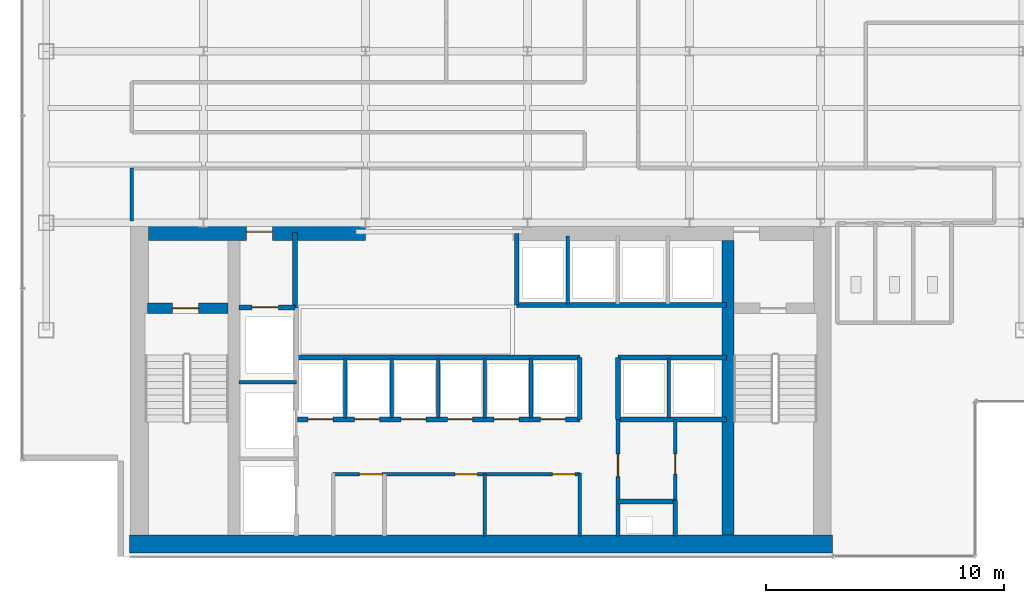
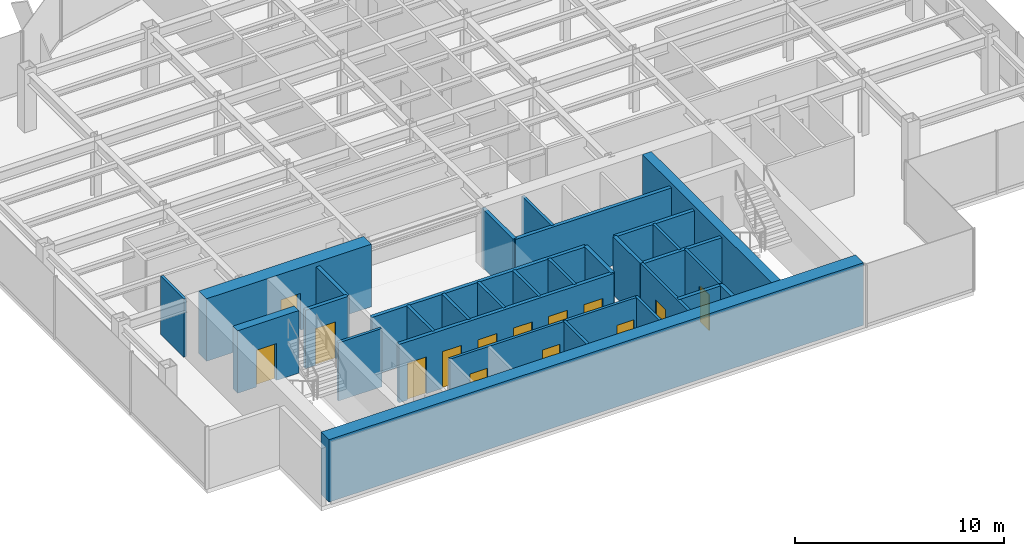
# One storey, part 20 of 25: 30 walls, 14 doors, 14 openings.
"""IFC4 building model written with IfcOpenShell, lengths in metres."""

from ifc_helpers import new_model, si_unit, derived_unit, direction, frame, frame_2d, origin, place, context, subcontext, project, spatial, rectangle, extrude, source, transform, mapped, material, layer, layer_set, type_object, element, fill, save


model = new_model("IFC4")

# Units and contexts
model_context = context("Model", 3, precision=1e-05, world=origin(), true_north=direction((0.0, 1.0)))
body_context = subcontext(model_context, "Body", "Model", "MODEL_VIEW")
ifc_project = project(units=[si_unit("LENGTHUNIT", "METRE"), si_unit("AREAUNIT", "SQUARE_METRE"), si_unit("VOLUMEUNIT", "CUBIC_METRE"), si_unit("PLANEANGLEUNIT", "RADIAN"), si_unit("MASSUNIT", "GRAM", prefix="KILO"), derived_unit("THERMALTRANSMITTANCEUNIT", [(si_unit("POWERUNIT", "WATT"), 1), (si_unit("LENGTHUNIT", "METRE"), -2), (si_unit("THERMODYNAMICTEMPERATUREUNIT", "KELVIN"), -1)])], contexts=[model_context])

# Site, building, storey
site_placement = place(None, origin())
site = spatial("IfcSite", under=ifc_project, at=site_placement, CompositionType="ELEMENT")
building_placement = place(site_placement, origin())
building = spatial("IfcBuilding", under=site, at=building_placement, Name="Skarnbrae Concourse Arena and Tower", CompositionType="ELEMENT")
storey_placement = place(building_placement, frame((0.0, 0.0, 162.5)))
storey = spatial("IfcBuildingStorey", under=building, at=storey_placement, Name="L41", CompositionType="ELEMENT", Elevation=162.5)

# Wall, opening, door
ifc_material_1 = material(Name="Concrete 50 MPa (C50/60)", Category="concrete")
ifc_layer_1 = layer(ifc_material_1, 0.449951171875)
ifc_layer_set_1 = layer_set([ifc_layer_1], Name="Concrete 50 MPa (C50/60)")
wall_type_1 = type_object("IfcWallType", Name="WALL-CORE-450-C50", PredefinedType="SHEAR", material=ifc_layer_set_1)
shared_shape_1 = source(origin(), body_context, "Body", "SweptSolid", [
    extrude(rectangle(XDim=3.389892578125, YDim=0.449951171875, at=frame_2d((1.69482421875, 0.0))), origin(), (0.0, 0.0, 1.0), 3.64990234375),
])
wall_1_placement = place(storey_placement, frame((5.25, 10.419921875, 0.0), z_axis=(0.0, 0.0, 1.0), x_axis=(1.0, 0.0, 0.0)))
wall_1 = element("IfcWall", 1, at=wall_1_placement, inside=storey, type_object=wall_type_1, Name="L41 Rear core shear wall CW-ST1-N", PredefinedType="SHEAR", context=body_context, shape_type="MappedRepresentation", body=[
    mapped(shared_shape_1, transform((0.0, 0.0, 0.0))),
])
opening_1_placement = place(wall_1_placement, frame((1.050048828125, 0.0, 0.0)))
opening_1 = element("IfcOpeningElement", 2, at=opening_1_placement, cuts=wall_1, Name="Opening DT-03", PredefinedType="OPENING", context=body_context, shape_type="SweptSolid", body=[
    extrude(rectangle(XDim=1.10009765625, YDim=2.14990234375, at=frame_2d((0.550048828125, 1.074951171875))), frame((0.0, 0.23486328125, 0.0), z_axis=(0.0, -1.0, 0.0), x_axis=(1.0, 0.0, 0.0)), (0.0, 0.0, 1.0), 0.469970703125),
])
ifc_material_2 = material(Name="Steel CSA G40.21 350W", Category="steel")
door_type_1 = type_object("IfcDoorType", Name="DOOR-FIRE-1100-90M", OperationType="NOTDEFINED", PredefinedType="DOOR", material=ifc_material_2)
shared_shape_2 = source(origin(), body_context, "Body", "SweptSolid", [
    extrude(rectangle(XDim=1.10009765625, YDim=2.14990234375, at=frame_2d((0.550048828125, 1.074951171875))), frame((0.0, 0.02490234375, 0.0), z_axis=(0.0, -1.0, 0.0), x_axis=(1.0, 0.0, 0.0)), (0.0, 0.0, 1.0), 0.050048828125),
])
door_1_placement = place(opening_1_placement, frame((1.10009765625, 0.0, 0.0), z_axis=(0.0, 0.0, 1.0), x_axis=(-1.0, 0.0, 0.0)))
door_1 = element("IfcDoor", 3, at=door_1_placement, inside=storey, type_object=door_type_1, Name="D-1267 Stair ST-1 Door", OperationType="SINGLE_SWING_LEFT", OverallHeight=2.14990234375, OverallWidth=1.10009765625, PredefinedType="DOOR", context=body_context, shape_type="MappedRepresentation", body=[
    mapped(shared_shape_2, transform((0.0, 0.0, 0.0))),
])
fill(opening_1, door_1)

# Wall
ifc_material_3 = material(Name="Concrete 60 MPa (C60/75)", Category="concrete")
ifc_layer_2 = layer(ifc_material_3, 0.75)
ifc_layer_set_2 = layer_set([ifc_layer_2], Name="Concrete 60 MPa (C60/75)")
wall_type_2 = type_object("IfcWallType", Name="WALL-CORE-750-C60", PredefinedType="SHEAR", material=ifc_layer_set_2)
shared_shape_3 = source(origin(), body_context, "Body", "SweptSolid", [
    extrude(rectangle(XDim=29.5, YDim=0.75, at=frame_2d((14.75, 0.0))), origin(), (0.0, 0.0, 1.0), 3.64990234375),
])
wall_2_placement = place(storey_placement, frame((4.5, 0.52490234375, 0.0), z_axis=(0.0, 0.0, 1.0), x_axis=(1.0, 0.0, 0.0)))
element("IfcWall", 4, at=wall_2_placement, inside=storey, type_object=wall_type_2, Name="L41 Rear core shear wall CW-S", PredefinedType="SHEAR", context=body_context, shape_type="MappedRepresentation", body=[
    mapped(shared_shape_3, transform((0.0, 0.0, 0.0))),
])

# Wall, opening, door
shared_shape_4 = source(origin(), body_context, "Body", "SweptSolid", [
    extrude(rectangle(XDim=9.099853515625, YDim=0.75, at=frame_2d((4.5498046875, 0.0))), origin(), (0.0, 0.0, 1.0), 3.64990234375),
])
wall_3_placement = place(storey_placement, frame((5.300048828125, 13.625, 0.0), z_axis=(0.0, 0.0, 1.0), x_axis=(1.0, 0.0, 0.0)))
wall_3 = element("IfcWall", 5, at=wall_3_placement, inside=storey, type_object=wall_type_2, Name="L41 Rear core shear wall CW-NW", PredefinedType="SHEAR", context=body_context, shape_type="MappedRepresentation", body=[
    mapped(shared_shape_4, transform((0.0, 0.0, 0.0))),
])
opening_2_placement = place(wall_3_placement, frame((4.10009765625, 0.0, 0.0)))
opening_2 = element("IfcOpeningElement", 6, at=opening_2_placement, cuts=wall_3, Name="Opening DT-03", PredefinedType="OPENING", context=body_context, shape_type="SweptSolid", body=[
    extrude(rectangle(XDim=1.10009765625, YDim=2.14990234375, at=frame_2d((0.550048828125, 1.074951171875))), frame((0.0, 0.385009765625, 0.0), z_axis=(0.0, -1.0, 0.0), x_axis=(1.0, 0.0, 0.0)), (0.0, 0.0, 1.0), 0.77001953125),
])
door_2_placement = place(opening_2_placement, origin())
door_2 = element("IfcDoor", 7, at=door_2_placement, inside=storey, type_object=door_type_1, Name="D-1269 Firefighting Lobby Exit Door", OperationType="SINGLE_SWING_RIGHT", OverallHeight=2.14990234375, OverallWidth=1.10009765625, PredefinedType="DOOR", context=body_context, shape_type="MappedRepresentation", body=[
    mapped(shared_shape_2, transform((0.0, 0.0, 0.0))),
])
fill(opening_2, door_2)

# Walls
ifc_layer_3 = layer(ifc_material_3, 0.5)
ifc_layer_set_3 = layer_set([ifc_layer_3], Name="Concrete 60 MPa (C60/75)")
wall_type_3 = type_object("IfcWallType", Name="WALL-CORE-500-C60", PredefinedType="SHEAR", material=ifc_layer_set_3)
shared_shape_5 = source(origin(), body_context, "Body", "SweptSolid", [
    extrude(rectangle(XDim=12.35009765625, YDim=0.5, at=frame_2d((6.175048828125, 0.0))), origin(), (0.0, 0.0, 1.0), 3.64990234375),
])
wall_4_placement = place(storey_placement, frame((29.610107421875, 0.89990234375, 0.0), z_axis=(0.0, 0.0, 1.0), x_axis=(0.0, 1.0, 0.0)))
element("IfcWall", 8, at=wall_4_placement, inside=storey, type_object=wall_type_3, Name="L41 Rear core shear wall CW-WEB-E", PredefinedType="SHEAR", context=body_context, shape_type="MappedRepresentation", body=[
    mapped(shared_shape_5, transform((0.0, 0.0, 0.0))),
])
ifc_material_4 = material(Name="Gypsum board on cold-formed steel studs", Category="steel")
ifc_layer_4 = layer(ifc_material_4, 0.199951171875)
ifc_layer_set_4 = layer_set([ifc_layer_4], Name="Gypsum board on cold-formed steel studs")
wall_type_4 = type_object("IfcWallType", Name="WALL-PART-200-2HR", PredefinedType="PARTITIONING", material=ifc_layer_set_4)
shared_shape_6 = source(origin(), body_context, "Body", "SweptSolid", [
    extrude(rectangle(XDim=3.18017578125, YDim=0.199951171875, at=frame_2d((1.590087890625, 0.0))), origin(), (0.0, 0.0, 1.0), 3.39990234375),
])
wall_5_placement = place(storey_placement, frame((11.449951171875, 10.419921875, 0.0), z_axis=(0.0, 0.0, 1.0), x_axis=(0.0, 1.0, 0.0)))
element("IfcWall", 9, at=wall_5_placement, inside=storey, type_object=wall_type_4, Name="L41 Interior partition wall W-L41-FFL-E", PredefinedType="PARTITIONING", context=body_context, shape_type="MappedRepresentation", body=[
    mapped(shared_shape_6, transform((0.0, 0.0, 0.0))),
])

# Wall, opening, door
shared_shape_7 = source(origin(), body_context, "Body", "SweptSolid", [
    extrude(rectangle(XDim=2.349853515625, YDim=0.199951171875, at=frame_2d((1.1748046875, 0.0))), origin(), (0.0, 0.0, 1.0), 3.39990234375),
])
wall_6_placement = place(storey_placement, frame((9.10009765625, 10.449951171875, 0.0), z_axis=(0.0, 0.0, 1.0), x_axis=(1.0, 0.0, 0.0)))
wall_6 = element("IfcWall", 10, at=wall_6_placement, inside=storey, type_object=wall_type_4, Name="L41 Interior partition wall W-L41-FL1-N", PredefinedType="PARTITIONING", context=body_context, shape_type="MappedRepresentation", body=[
    mapped(shared_shape_7, transform((0.0, 0.0, 0.0))),
])
opening_3_placement = place(wall_6_placement, frame((0.550048828125, 0.0, 0.0)))
opening_3 = element("IfcOpeningElement", 11, at=opening_3_placement, cuts=wall_6, Name="Opening LD-01", PredefinedType="OPENING", context=body_context, shape_type="SweptSolid", body=[
    extrude(rectangle(XDim=1.10009765625, YDim=2.14990234375, at=frame_2d((0.550048828125, 1.074951171875))), frame((0.0, 0.10986328125, 0.0), z_axis=(0.0, -1.0, 0.0), x_axis=(1.0, 0.0, 0.0)), (0.0, 0.0, 1.0), 0.219970703125),
])
door_type_2 = type_object("IfcDoorType", Name="DOOR-LIFT-SLIDE-1100", OperationType="SLIDING_TO_LEFT", PredefinedType="DOOR", material=ifc_material_2)
door_3_placement = place(opening_3_placement, origin())
door_3 = element("IfcDoor", 12, at=door_3_placement, inside=storey, type_object=door_type_2, Name="D-1271 Firefighting Lift Landing Door FL-01", OperationType="SLIDING_TO_LEFT", OverallHeight=2.14990234375, OverallWidth=1.10009765625, PredefinedType="DOOR", context=body_context, shape_type="MappedRepresentation", body=[
    mapped(shared_shape_2, transform((0.0, 0.0, 0.0))),
])
fill(opening_3, door_3)

# Walls
ifc_layer_5 = layer(ifc_material_4, 0.14990234375)
ifc_layer_set_5 = layer_set([ifc_layer_5], Name="Gypsum board on cold-formed steel studs")
wall_type_5 = type_object("IfcWallType", Name="WALL-PART-150", PredefinedType="PARTITIONING", material=ifc_layer_set_5)
shared_shape_8 = source(origin(), body_context, "Body", "SweptSolid", [
    extrude(rectangle(XDim=2.39990234375, YDim=0.14990234375, at=frame_2d((1.199951171875, 0.0))), origin(), (0.0, 0.0, 1.0), 3.39990234375),
])
wall_7_placement = place(storey_placement, frame((9.10009765625, 7.300048828125, 0.0), z_axis=(0.0, 0.0, 1.0), x_axis=(1.0, 0.0, 0.0)))
element("IfcWall", 13, at=wall_7_placement, inside=storey, type_object=wall_type_5, Name="L41 Interior partition wall W-L41-FL-D2", PredefinedType="PARTITIONING", context=body_context, shape_type="MappedRepresentation", body=[
    mapped(shared_shape_8, transform((0.0, 0.0, 0.0))),
])
shared_shape_9 = source(origin(), body_context, "Body", "SweptSolid", [
    extrude(rectangle(XDim=2.599853515625, YDim=0.14990234375, at=frame_2d((1.2998046875, 0.0))), origin(), (0.0, 0.0, 1.0), 3.39990234375),
])
wall_8_placement = place(storey_placement, frame((19.39990234375, 0.85009765625, 0.0), z_axis=(0.0, 0.0, 1.0), x_axis=(0.0, 1.0, 0.0)))
element("IfcWall", 14, at=wall_8_placement, inside=storey, type_object=wall_type_5, Name="L41 Interior partition wall W-L41-B1M-C2", PredefinedType="PARTITIONING", context=body_context, shape_type="MappedRepresentation", body=[
    mapped(shared_shape_9, transform((0.0, 0.0, 0.0))),
])

# Wall, openings, doors
shared_shape_10 = source(origin(), body_context, "Body", "SweptSolid", [
    extrude(rectangle(XDim=11.849853515625, YDim=0.199951171875, at=frame_2d((5.9248046875, 0.0))), origin(), (0.0, 0.0, 1.0), 3.39990234375),
])
wall_9_placement = place(storey_placement, frame((11.550048828125, 5.75, 0.0), z_axis=(0.0, 0.0, 1.0), x_axis=(1.0, 0.0, 0.0)))
wall_9 = element("IfcWall", 15, at=wall_9_placement, inside=storey, type_object=wall_type_4, Name="L41 Interior partition wall W-L41-B2-S", PredefinedType="PARTITIONING", context=body_context, shape_type="MappedRepresentation", body=[
    mapped(shared_shape_10, transform((0.0, 0.0, 0.0))),
])
opening_4_placement = place(wall_9_placement, frame((0.449951171875, 0.0, 0.0)))
opening_4 = element("IfcOpeningElement", 16, at=opening_4_placement, cuts=wall_9, Name="Opening LD-03", PredefinedType="OPENING", context=body_context, shape_type="SweptSolid", body=[
    extrude(rectangle(XDim=1.050048828125, YDim=2.14990234375, at=frame_2d((0.52490234375, 1.074951171875))), frame((0.0, 0.10986328125, 0.0), z_axis=(0.0, -1.0, 0.0), x_axis=(1.0, 0.0, 0.0)), (0.0, 0.0, 1.0), 0.219970703125),
])
opening_5_placement = place(wall_9_placement, frame((2.39990234375, 0.0, 0.0)))
opening_5 = element("IfcOpeningElement", 17, at=opening_5_placement, cuts=wall_9, Name="Opening LD-03", PredefinedType="OPENING", context=body_context, shape_type="SweptSolid", body=[
    extrude(rectangle(XDim=1.050048828125, YDim=2.14990234375, at=frame_2d((0.52490234375, 1.074951171875))), frame((0.0, 0.10986328125, 0.0), z_axis=(0.0, -1.0, 0.0), x_axis=(1.0, 0.0, 0.0)), (0.0, 0.0, 1.0), 0.219970703125),
])
opening_6_placement = place(wall_9_placement, frame((4.35009765625, 0.0, 0.0)))
opening_6 = element("IfcOpeningElement", 18, at=opening_6_placement, cuts=wall_9, Name="Opening LD-03", PredefinedType="OPENING", context=body_context, shape_type="SweptSolid", body=[
    extrude(rectangle(XDim=1.050048828125, YDim=2.14990234375, at=frame_2d((0.52490234375, 1.074951171875))), frame((0.0, 0.10986328125, 0.0), z_axis=(0.0, -1.0, 0.0), x_axis=(1.0, 0.0, 0.0)), (0.0, 0.0, 1.0), 0.219970703125),
])
opening_7_placement = place(wall_9_placement, frame((6.300048828125, 0.0, 0.0)))
opening_7 = element("IfcOpeningElement", 19, at=opening_7_placement, cuts=wall_9, Name="Opening LD-03", PredefinedType="OPENING", context=body_context, shape_type="SweptSolid", body=[
    extrude(rectangle(XDim=1.050048828125, YDim=2.14990234375, at=frame_2d((0.52490234375, 1.074951171875))), frame((0.0, 0.10986328125, 0.0), z_axis=(0.0, -1.0, 0.0), x_axis=(1.0, 0.0, 0.0)), (0.0, 0.0, 1.0), 0.219970703125),
])
opening_8_placement = place(wall_9_placement, frame((8.25, 0.0, 0.0)))
opening_8 = element("IfcOpeningElement", 20, at=opening_8_placement, cuts=wall_9, Name="Opening LD-03", PredefinedType="OPENING", context=body_context, shape_type="SweptSolid", body=[
    extrude(rectangle(XDim=1.050048828125, YDim=2.14990234375, at=frame_2d((0.52490234375, 1.074951171875))), frame((0.0, 0.10986328125, 0.0), z_axis=(0.0, -1.0, 0.0), x_axis=(1.0, 0.0, 0.0)), (0.0, 0.0, 1.0), 0.219970703125),
])
opening_9_placement = place(wall_9_placement, frame((10.199951171875, 0.0, 0.0)))
opening_9 = element("IfcOpeningElement", 21, at=opening_9_placement, cuts=wall_9, Name="Opening LD-03", PredefinedType="OPENING", context=body_context, shape_type="SweptSolid", body=[
    extrude(rectangle(XDim=1.050048828125, YDim=2.14990234375, at=frame_2d((0.52490234375, 1.074951171875))), frame((0.0, 0.10986328125, 0.0), z_axis=(0.0, -1.0, 0.0), x_axis=(1.0, 0.0, 0.0)), (0.0, 0.0, 1.0), 0.219970703125),
])
ifc_material_5 = material(Name="Bronze anodised aluminium 6063-T6", Category="aluminium")
door_type_3 = type_object("IfcDoorType", Name="DOOR-LIFT-SLIDE-1050", OperationType="SLIDING_TO_LEFT", PredefinedType="DOOR", material=ifc_material_5)
shared_shape_11 = source(origin(), body_context, "Body", "SweptSolid", [
    extrude(rectangle(XDim=1.050048828125, YDim=2.14990234375, at=frame_2d((0.52490234375, 1.074951171875))), frame((0.0, 0.02490234375, 0.0), z_axis=(0.0, -1.0, 0.0), x_axis=(1.0, 0.0, 0.0)), (0.0, 0.0, 1.0), 0.050048828125),
])
door_4_placement = place(opening_4_placement, frame((1.050048828125, 0.0, 0.0), z_axis=(0.0, 0.0, 1.0), x_axis=(-1.0, 0.0, 0.0)))
door_4 = element("IfcDoor", 22, at=door_4_placement, inside=storey, type_object=door_type_3, Name="D-1277 Passenger Lift Landing Door PL-2A", OperationType="SLIDING_TO_LEFT", OverallHeight=2.14990234375, OverallWidth=1.050048828125, PredefinedType="DOOR", context=body_context, shape_type="MappedRepresentation", body=[
    mapped(shared_shape_11, transform((0.0, 0.0, 0.0))),
])
fill(opening_4, door_4)
door_5_placement = place(opening_5_placement, frame((1.050048828125, 0.0, 0.0), z_axis=(0.0, 0.0, 1.0), x_axis=(-1.0, 0.0, 0.0)))
door_5 = element("IfcDoor", 23, at=door_5_placement, inside=storey, type_object=door_type_3, Name="D-1278 Passenger Lift Landing Door PL-2B", OperationType="SLIDING_TO_LEFT", OverallHeight=2.14990234375, OverallWidth=1.050048828125, PredefinedType="DOOR", context=body_context, shape_type="MappedRepresentation", body=[
    mapped(shared_shape_11, transform((0.0, 0.0, 0.0))),
])
fill(opening_5, door_5)
door_6_placement = place(opening_6_placement, frame((1.050048828125, 0.0, 0.0), z_axis=(0.0, 0.0, 1.0), x_axis=(-1.0, 0.0, 0.0)))
door_6 = element("IfcDoor", 24, at=door_6_placement, inside=storey, type_object=door_type_3, Name="D-1279 Passenger Lift Landing Door PL-2C", OperationType="SLIDING_TO_LEFT", OverallHeight=2.14990234375, OverallWidth=1.050048828125, PredefinedType="DOOR", context=body_context, shape_type="MappedRepresentation", body=[
    mapped(shared_shape_11, transform((0.0, 0.0, 0.0))),
])
fill(opening_6, door_6)
door_7_placement = place(opening_7_placement, frame((1.050048828125, 0.0, 0.0), z_axis=(0.0, 0.0, 1.0), x_axis=(-1.0, 0.0, 0.0)))
door_7 = element("IfcDoor", 25, at=door_7_placement, inside=storey, type_object=door_type_3, Name="D-1280 Passenger Lift Landing Door PL-2D", OperationType="SLIDING_TO_LEFT", OverallHeight=2.14990234375, OverallWidth=1.050048828125, PredefinedType="DOOR", context=body_context, shape_type="MappedRepresentation", body=[
    mapped(shared_shape_11, transform((0.0, 0.0, 0.0))),
])
fill(opening_7, door_7)
door_8_placement = place(opening_8_placement, frame((1.050048828125, 0.0, 0.0), z_axis=(0.0, 0.0, 1.0), x_axis=(-1.0, 0.0, 0.0)))
door_8 = element("IfcDoor", 26, at=door_8_placement, inside=storey, type_object=door_type_3, Name="D-1281 Passenger Lift Landing Door PL-2E", OperationType="SLIDING_TO_LEFT", OverallHeight=2.14990234375, OverallWidth=1.050048828125, PredefinedType="DOOR", context=body_context, shape_type="MappedRepresentation", body=[
    mapped(shared_shape_11, transform((0.0, 0.0, 0.0))),
])
fill(opening_8, door_8)
door_9_placement = place(opening_9_placement, frame((1.050048828125, 0.0, 0.0), z_axis=(0.0, 0.0, 1.0), x_axis=(-1.0, 0.0, 0.0)))
door_9 = element("IfcDoor", 27, at=door_9_placement, inside=storey, type_object=door_type_3, Name="D-1282 Passenger Lift Landing Door PL-2F", OperationType="SLIDING_TO_LEFT", OverallHeight=2.14990234375, OverallWidth=1.050048828125, PredefinedType="DOOR", context=body_context, shape_type="MappedRepresentation", body=[
    mapped(shared_shape_11, transform((0.0, 0.0, 0.0))),
])
fill(opening_9, door_9)

# Walls
wall_10_placement = place(storey_placement, frame((11.550048828125, 8.35009765625, 0.0), z_axis=(0.0, 0.0, 1.0), x_axis=(1.0, 0.0, 0.0)))
element("IfcWall", 28, at=wall_10_placement, inside=storey, type_object=wall_type_4, Name="L41 Interior partition wall W-L41-B2-N", PredefinedType="PARTITIONING", context=body_context, shape_type="MappedRepresentation", body=[
    mapped(shared_shape_10, transform((0.0, 0.0, 0.0))),
])
shared_shape_12 = source(origin(), body_context, "Body", "SweptSolid", [
    extrude(rectangle(XDim=2.60009765625, YDim=0.199951171875, at=frame_2d((1.300048828125, 0.0))), origin(), (0.0, 0.0, 1.0), 3.39990234375),
])
for number, where, z_axis, x_axis, name in (
    (29, (23.39990234375, 5.75, 0.0), (0.0, 0.0, 1.0), (0.0, 1.0, 0.0), "L41 Interior partition wall W-L41-B2-E"),
    (30, (25.0, 5.75, 0.0), (0.0, 0.0, 1.0), (0.0, 1.0, 0.0), "L41 Interior partition wall W-L41-B3S-W"),
):
    element("IfcWall", number, at=place(storey_placement, frame(where, z_axis=z_axis, x_axis=x_axis)), inside=storey, type_object=wall_type_4, Name=name, PredefinedType="PARTITIONING", context=body_context, shape_type="MappedRepresentation", body=[
        mapped(shared_shape_12, transform((0.0, 0.0, 0.0))),
    ])
shared_shape_13 = source(origin(), body_context, "Body", "SweptSolid", [
    extrude(rectangle(XDim=2.5, YDim=0.14990234375, at=frame_2d((1.25, 0.0))), origin(), (0.0, 0.0, 1.0), 3.39990234375),
])
for number, where, z_axis, x_axis, name in (
    (31, (13.550048828125, 5.800048828125, 0.0), (0.0, 0.0, 1.0), (0.0, 1.0, 0.0), "L41 Interior partition wall W-L41-B2-P1"),
    (32, (15.5, 5.800048828125, 0.0), (0.0, 0.0, 1.0), (0.0, 1.0, 0.0), "L41 Interior partition wall W-L41-B2-P2"),
    (33, (17.449951171875, 5.800048828125, 0.0), (0.0, 0.0, 1.0), (0.0, 1.0, 0.0), "L41 Interior partition wall W-L41-B2-P3"),
    (34, (19.39990234375, 5.800048828125, 0.0), (0.0, 0.0, 1.0), (0.0, 1.0, 0.0), "L41 Interior partition wall W-L41-B2-P4"),
    (35, (21.35009765625, 5.800048828125, 0.0), (0.0, 0.0, 1.0), (0.0, 1.0, 0.0), "L41 Interior partition wall W-L41-B2-P5"),
    (36, (27.139892578125, 5.800048828125, 0.0), (0.0, 0.0, 1.0), (0.0, 1.0, 0.0), "L41 Interior partition wall W-L41-B3S-P1"),
):
    element("IfcWall", number, at=place(storey_placement, frame(where, z_axis=z_axis, x_axis=x_axis)), inside=storey, type_object=wall_type_5, Name=name, PredefinedType="PARTITIONING", context=body_context, shape_type="MappedRepresentation", body=[
        mapped(shared_shape_13, transform((0.0, 0.0, 0.0))),
    ])
shared_shape_14 = source(origin(), body_context, "Body", "SweptSolid", [
    extrude(rectangle(XDim=8.800048828125, YDim=0.199951171875, at=frame_2d((4.39990234375, 0.0))), origin(), (0.0, 0.0, 1.0), 3.39990234375),
])
wall_11_placement = place(storey_placement, frame((20.75, 10.550048828125, 0.0), z_axis=(0.0, 0.0, 1.0), x_axis=(1.0, 0.0, 0.0)))
element("IfcWall", 37, at=wall_11_placement, inside=storey, type_object=wall_type_4, Name="L41 Interior partition wall W-L41-B3N-S", PredefinedType="PARTITIONING", context=body_context, shape_type="MappedRepresentation", body=[
    mapped(shared_shape_14, transform((0.0, 0.0, 0.0))),
])
shared_shape_15 = source(origin(), body_context, "Body", "SweptSolid", [
    extrude(rectangle(XDim=3.0, YDim=0.199951171875, at=frame_2d((1.5, 0.0))), origin(), (0.0, 0.0, 1.0), 3.39990234375),
])
wall_12_placement = place(storey_placement, frame((20.75, 10.550048828125, 0.0), z_axis=(0.0, 0.0, 1.0), x_axis=(0.0, 1.0, 0.0)))
element("IfcWall", 38, at=wall_12_placement, inside=storey, type_object=wall_type_4, Name="L41 Interior partition wall W-L41-B3N-W", PredefinedType="PARTITIONING", context=body_context, shape_type="MappedRepresentation", body=[
    mapped(shared_shape_15, transform((0.0, 0.0, 0.0))),
])
shared_shape_16 = source(origin(), body_context, "Body", "SweptSolid", [
    extrude(rectangle(XDim=2.849853515625, YDim=0.14990234375, at=frame_2d((1.4248046875, 0.0))), origin(), (0.0, 0.0, 1.0), 3.39990234375),
])
wall_13_placement = place(storey_placement, frame((22.889892578125, 10.60009765625, 0.0), z_axis=(0.0, 0.0, 1.0), x_axis=(0.0, 1.0, 0.0)))
element("IfcWall", 39, at=wall_13_placement, inside=storey, type_object=wall_type_5, Name="L41 Interior partition wall W-L41-B3N-P1", PredefinedType="PARTITIONING", context=body_context, shape_type="MappedRepresentation", body=[
    mapped(shared_shape_16, transform((0.0, 0.0, 0.0))),
])
shared_shape_17 = source(origin(), body_context, "Body", "SweptSolid", [
    extrude(rectangle(XDim=4.550048828125, YDim=0.199951171875, at=frame_2d((2.27490234375, 0.0))), origin(), (0.0, 0.0, 1.0), 3.39990234375),
])
for number, where, z_axis, x_axis, name in (
    (40, (25.0, 8.35009765625, 0.0), (0.0, 0.0, 1.0), (1.0, 0.0, 0.0), "L41 Interior partition wall W-L41-B3S-N"),
    (41, (25.0, 5.75, 0.0), (0.0, 0.0, 1.0), (1.0, 0.0, 0.0), "L41 Interior partition wall W-L41-B3S-S"),
):
    element("IfcWall", number, at=place(storey_placement, frame(where, z_axis=z_axis, x_axis=x_axis)), inside=storey, type_object=wall_type_4, Name=name, PredefinedType="PARTITIONING", context=body_context, shape_type="MappedRepresentation", body=[
        mapped(shared_shape_17, transform((0.0, 0.0, 0.0))),
    ])

# Wall, opening, door
ifc_layer_6 = layer(ifc_material_4, 0.14990234375)
ifc_layer_set_6 = layer_set([ifc_layer_6], Name="Gypsum board on cold-formed steel studs")
wall_type_6 = type_object("IfcWallType", Name="WALL-PART-150-1HR", PredefinedType="PARTITIONING", material=ifc_layer_set_6)
shared_shape_18 = source(origin(), body_context, "Body", "SweptSolid", [
    extrude(rectangle(XDim=4.89990234375, YDim=0.14990234375, at=frame_2d((2.449951171875, 0.0))), origin(), (0.0, 0.0, 1.0), 3.39990234375),
])
wall_14_placement = place(storey_placement, frame((25.0, 0.85009765625, 0.0), z_axis=(0.0, 0.0, 1.0), x_axis=(0.0, 1.0, 0.0)))
wall_14 = element("IfcWall", 42, at=wall_14_placement, inside=storey, type_object=wall_type_6, Name="L41 Interior partition wall W-L41-CSV-W", PredefinedType="PARTITIONING", context=body_context, shape_type="MappedRepresentation", body=[
    mapped(shared_shape_18, transform((0.0, 0.0, 0.0))),
])
opening_10_placement = place(wall_14_placement, frame((2.5, 0.0, 0.0)))
opening_10 = element("IfcOpeningElement", 43, at=opening_10_placement, cuts=wall_14, Name="Opening DT-04", PredefinedType="OPENING", context=body_context, shape_type="SweptSolid", body=[
    extrude(rectangle(XDim=0.949951171875, YDim=2.14990234375, at=frame_2d((0.47509765625, 1.074951171875))), frame((0.0, 0.0849609375, 0.0), z_axis=(0.0, -1.0, 0.0), x_axis=(1.0, 0.0, 0.0)), (0.0, 0.0, 1.0), 0.169921875),
])
door_type_4 = type_object("IfcDoorType", Name="DOOR-INT-950-45M", OperationType="NOTDEFINED", PredefinedType="DOOR", material=ifc_material_2)
shared_shape_19 = source(origin(), body_context, "Body", "SweptSolid", [
    extrude(rectangle(XDim=0.949951171875, YDim=2.14990234375, at=frame_2d((0.47509765625, 1.074951171875))), frame((0.0, 0.02490234375, 0.0), z_axis=(0.0, -1.0, 0.0), x_axis=(1.0, 0.0, 0.0)), (0.0, 0.0, 1.0), 0.050048828125),
])
door_10_placement = place(opening_10_placement, origin())
door_10 = element("IfcDoor", 44, at=door_10_placement, inside=storey, type_object=door_type_4, Name="D-1283 Core Pantry Door", OperationType="SINGLE_SWING_RIGHT", OverallHeight=2.14990234375, OverallWidth=0.949951171875, PredefinedType="DOOR", context=body_context, shape_type="MappedRepresentation", body=[
    mapped(shared_shape_19, transform((0.0, 0.0, 0.0))),
])
fill(opening_10, door_10)

# Walls
shared_shape_20 = source(origin(), body_context, "Body", "SweptSolid", [
    extrude(rectangle(XDim=2.39990234375, YDim=0.199951171875, at=frame_2d((1.199951171875, 0.0))), origin(), (0.0, 0.0, 1.0), 3.39990234375),
])
wall_15_placement = place(storey_placement, frame((25.0, 2.300048828125, 0.0), z_axis=(0.0, 0.0, 1.0), x_axis=(1.0, 0.0, 0.0)))
element("IfcWall", 45, at=wall_15_placement, inside=storey, type_object=wall_type_4, Name="L41 Interior partition wall W-L41-MEP-N", PredefinedType="PARTITIONING", context=body_context, shape_type="MappedRepresentation", body=[
    mapped(shared_shape_20, transform((0.0, 0.0, 0.0))),
])
shared_shape_21 = source(origin(), body_context, "Body", "SweptSolid", [
    extrude(rectangle(XDim=1.5, YDim=0.199951171875, at=frame_2d((0.75, 0.0))), origin(), (0.0, 0.0, 1.0), 3.39990234375),
])
wall_16_placement = place(storey_placement, frame((27.39990234375, 0.85009765625, 0.0), z_axis=(0.0, 0.0, 1.0), x_axis=(0.0, 1.0, 0.0)))
element("IfcWall", 46, at=wall_16_placement, inside=storey, type_object=wall_type_4, Name="L41 Interior partition wall W-L41-MEP-E", PredefinedType="PARTITIONING", context=body_context, shape_type="MappedRepresentation", body=[
    mapped(shared_shape_21, transform((0.0, 0.0, 0.0))),
])

# Wall, opening, door
shared_shape_22 = source(origin(), body_context, "Body", "SweptSolid", [
    extrude(rectangle(XDim=3.39990234375, YDim=0.14990234375, at=frame_2d((1.699951171875, 0.0))), origin(), (0.0, 0.0, 1.0), 3.39990234375),
])
wall_17_placement = place(storey_placement, frame((27.39990234375, 2.35009765625, 0.0), z_axis=(0.0, 0.0, 1.0), x_axis=(0.0, 1.0, 0.0)))
wall_17 = element("IfcWall", 47, at=wall_17_placement, inside=storey, type_object=wall_type_5, Name="L41 Interior partition wall W-L41-CSV-V", PredefinedType="PARTITIONING", context=body_context, shape_type="MappedRepresentation", body=[
    mapped(shared_shape_22, transform((0.0, 0.0, 0.0))),
])
opening_11_placement = place(wall_17_placement, frame((1.10009765625, 0.0, 0.0)))
opening_11 = element("IfcOpeningElement", 48, at=opening_11_placement, cuts=wall_17, Name="Opening DT-06", PredefinedType="OPENING", context=body_context, shape_type="SweptSolid", body=[
    extrude(rectangle(XDim=0.85009765625, YDim=2.10009765625, at=frame_2d((0.425048828125, 1.050048828125))), frame((0.0, 0.0849609375, 0.0), z_axis=(0.0, -1.0, 0.0), x_axis=(1.0, 0.0, 0.0)), (0.0, 0.0, 1.0), 0.169921875),
])
ifc_material_6 = material(Name="Architectural oak veneer timber leaf", Category="wood")
door_type_5 = type_object("IfcDoorType", Name="DOOR-INT-850", OperationType="NOTDEFINED", PredefinedType="DOOR", material=ifc_material_6)
shared_shape_23 = source(origin(), body_context, "Body", "SweptSolid", [
    extrude(rectangle(XDim=0.85009765625, YDim=2.10009765625, at=frame_2d((0.425048828125, 1.050048828125))), frame((0.0, 0.02490234375, 0.0), z_axis=(0.0, -1.0, 0.0), x_axis=(1.0, 0.0, 0.0)), (0.0, 0.0, 1.0), 0.050048828125),
])
door_11_placement = place(opening_11_placement, frame((0.85009765625, 0.0, 0.0), z_axis=(0.0, 0.0, 1.0), x_axis=(-1.0, 0.0, 0.0)))
door_11 = element("IfcDoor", 49, at=door_11_placement, inside=storey, type_object=door_type_5, Name="D-1284 Supply Cupboard Door", OperationType="SINGLE_SWING_LEFT", OverallHeight=2.10009765625, OverallWidth=0.85009765625, PredefinedType="DOOR", context=body_context, shape_type="MappedRepresentation", body=[
    mapped(shared_shape_23, transform((0.0, 0.0, 0.0))),
])
fill(opening_11, door_11)

# Wall
shared_shape_24 = source(origin(), body_context, "Body", "SweptSolid", [
    extrude(rectangle(XDim=2.64990234375, YDim=0.14990234375, at=frame_2d((1.324951171875, 0.0))), origin(), (0.0, 0.0, 1.0), 3.39990234375),
])
wall_18_placement = place(storey_placement, frame((23.39990234375, 0.85009765625, 0.0), z_axis=(0.0, 0.0, 1.0), x_axis=(0.0, 1.0, 0.0)))
element("IfcWall", 50, at=wall_18_placement, inside=storey, type_object=wall_type_6, Name="L41 Interior partition wall W-L41-B1M-E", PredefinedType="PARTITIONING", context=body_context, shape_type="MappedRepresentation", body=[
    mapped(shared_shape_24, transform((0.0, 0.0, 0.0))),
])

# Wall, openings, doors
shared_shape_25 = source(origin(), body_context, "Body", "SweptSolid", [
    extrude(rectangle(XDim=10.349853515625, YDim=0.14990234375, at=frame_2d((5.1748046875, 0.0))), origin(), (0.0, 0.0, 1.0), 3.39990234375),
])
wall_19_placement = place(storey_placement, frame((13.050048828125, 3.449951171875, 0.0), z_axis=(0.0, 0.0, 1.0), x_axis=(1.0, 0.0, 0.0)))
wall_19 = element("IfcWall", 51, at=wall_19_placement, inside=storey, type_object=wall_type_6, Name="L41 Interior partition wall W-L41-B1M-N", PredefinedType="PARTITIONING", context=body_context, shape_type="MappedRepresentation", body=[
    mapped(shared_shape_25, transform((0.0, 0.0, 0.0))),
])
opening_12_placement = place(wall_19_placement, frame((1.10009765625, 0.0, 0.0)))
opening_12 = element("IfcOpeningElement", 52, at=opening_12_placement, cuts=wall_19, Name="Opening DT-04", PredefinedType="OPENING", context=body_context, shape_type="SweptSolid", body=[
    extrude(rectangle(XDim=0.949951171875, YDim=2.14990234375, at=frame_2d((0.47509765625, 1.074951171875))), frame((0.0, 0.0849609375, 0.0), z_axis=(0.0, -1.0, 0.0), x_axis=(1.0, 0.0, 0.0)), (0.0, 0.0, 1.0), 0.169921875),
])
opening_13_placement = place(wall_19_placement, frame((5.10009765625, 0.0, 0.0)))
opening_13 = element("IfcOpeningElement", 53, at=opening_13_placement, cuts=wall_19, Name="Opening DT-04", PredefinedType="OPENING", context=body_context, shape_type="SweptSolid", body=[
    extrude(rectangle(XDim=0.949951171875, YDim=2.14990234375, at=frame_2d((0.47509765625, 1.074951171875))), frame((0.0, 0.0849609375, 0.0), z_axis=(0.0, -1.0, 0.0), x_axis=(1.0, 0.0, 0.0)), (0.0, 0.0, 1.0), 0.169921875),
])
opening_14_placement = place(wall_19_placement, frame((9.199951171875, 0.0, 0.0)))
opening_14 = element("IfcOpeningElement", 54, at=opening_14_placement, cuts=wall_19, Name="Opening DT-04", PredefinedType="OPENING", context=body_context, shape_type="SweptSolid", body=[
    extrude(rectangle(XDim=0.949951171875, YDim=2.14990234375, at=frame_2d((0.47509765625, 1.074951171875))), frame((0.0, 0.0849609375, 0.0), z_axis=(0.0, -1.0, 0.0), x_axis=(1.0, 0.0, 0.0)), (0.0, 0.0, 1.0), 0.169921875),
])
door_12_placement = place(opening_12_placement, origin())
door_12 = element("IfcDoor", 55, at=door_12_placement, inside=storey, type_object=door_type_4, Name="D-1274 Core Service Door 1", OperationType="SINGLE_SWING_LEFT", OverallHeight=2.14990234375, OverallWidth=0.949951171875, PredefinedType="DOOR", context=body_context, shape_type="MappedRepresentation", body=[
    mapped(shared_shape_19, transform((0.0, 0.0, 0.0))),
])
fill(opening_12, door_12)
door_13_placement = place(opening_13_placement, origin())
door_13 = element("IfcDoor", 56, at=door_13_placement, inside=storey, type_object=door_type_4, Name="D-1275 Core Service Door 2", OperationType="SINGLE_SWING_RIGHT", OverallHeight=2.14990234375, OverallWidth=0.949951171875, PredefinedType="DOOR", context=body_context, shape_type="MappedRepresentation", body=[
    mapped(shared_shape_19, transform((0.0, 0.0, 0.0))),
])
fill(opening_13, door_13)
door_14_placement = place(opening_14_placement, origin())
door_14 = element("IfcDoor", 57, at=door_14_placement, inside=storey, type_object=door_type_4, Name="D-1276 Core Service Door 3", OperationType="SINGLE_SWING_LEFT", OverallHeight=2.14990234375, OverallWidth=0.949951171875, PredefinedType="DOOR", context=body_context, shape_type="MappedRepresentation", body=[
    mapped(shared_shape_19, transform((0.0, 0.0, 0.0))),
])
fill(opening_14, door_14)

# Wall
shared_shape_26 = source(origin(), body_context, "Body", "SweptSolid", [
    extrude(rectangle(XDim=2.219970703125, YDim=0.14990234375, at=frame_2d((1.10986328125, 0.0))), origin(), (0.0, 0.0, 1.0), 3.39990234375),
])
wall_20_placement = place(storey_placement, frame((4.60009765625, 14.080078125, 0.0), z_axis=(0.0, 0.0, 1.0), x_axis=(0.0, 1.0, 0.0)))
element("IfcWall", 58, at=wall_20_placement, inside=storey, type_object=wall_type_6, Name="L41 Interior partition wall W-L41-COR-01", PredefinedType="PARTITIONING", context=body_context, shape_type="MappedRepresentation", body=[
    mapped(shared_shape_26, transform((0.0, 0.0, 0.0))),
])

save(model, "model.ifc")
